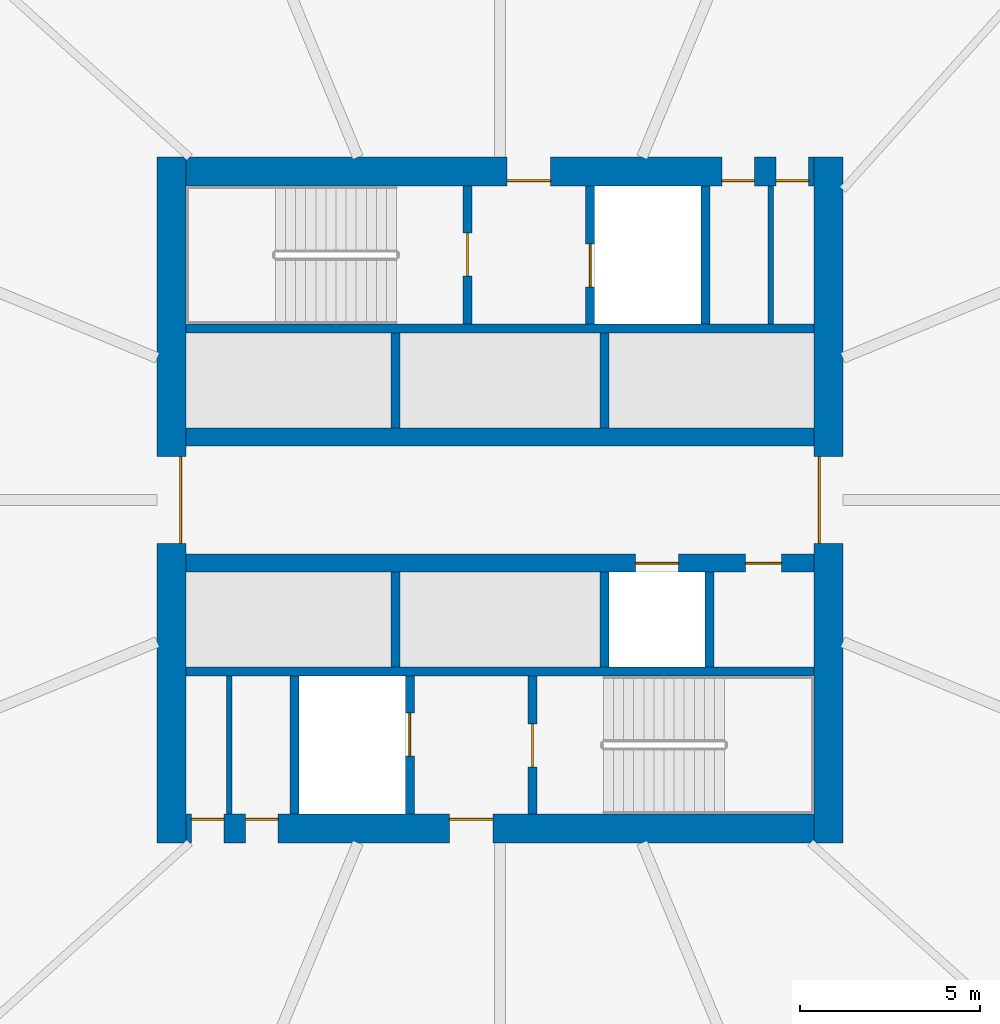
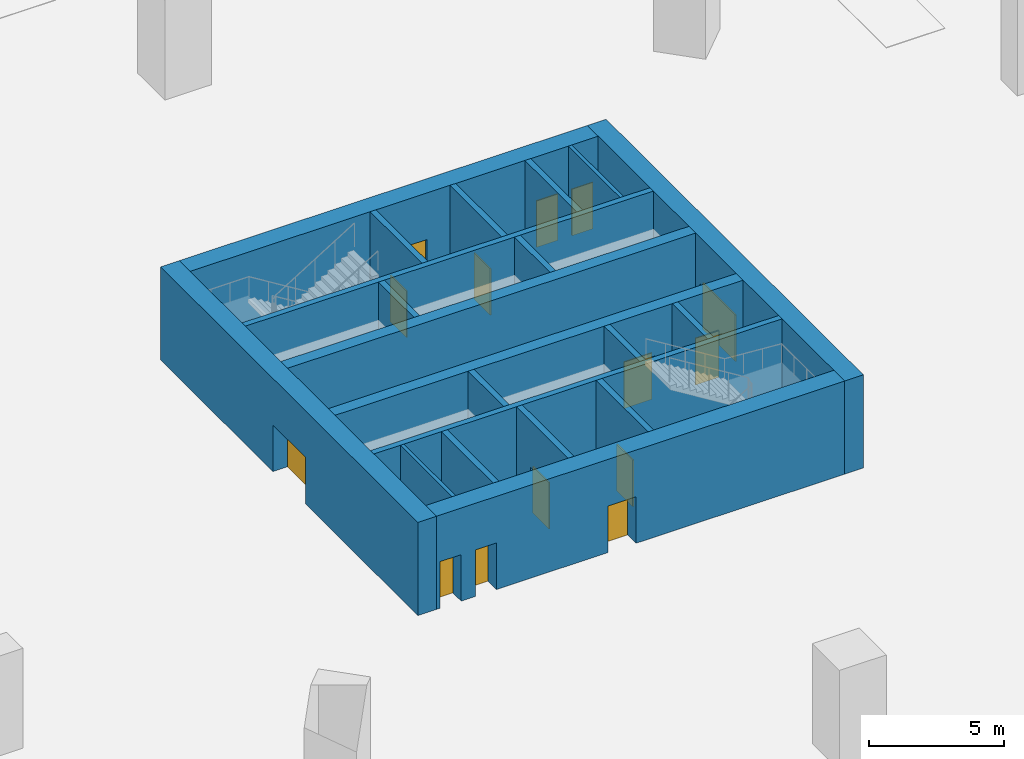
# One storey, part 11 of 34: 21 walls, 14 doors, 14 openings.
"""IFC4 building model written with IfcOpenShell, lengths in metres."""

from ifc_helpers import new_model, si_unit, direction, frame, frame_2d, origin, place, context, subcontext, project, spatial, rectangle, extrude, material, layer, layer_set, type_object, element, fill, save


model = new_model("IFC4")

# Units and contexts
model_context = context("Model", 3, precision=1e-05, world=origin(), true_north=direction((0.0, 1.0)))
body_context = subcontext(model_context, "Body", "Model", "MODEL_VIEW")
ifc_project = project(units=[si_unit("LENGTHUNIT", "METRE"), si_unit("AREAUNIT", "SQUARE_METRE"), si_unit("VOLUMEUNIT", "CUBIC_METRE"), si_unit("PLANEANGLEUNIT", "RADIAN"), si_unit("MASSUNIT", "GRAM", prefix="KILO")], contexts=[model_context])

# Site, building, storey
site_placement = place(None, origin())
site = spatial("IfcSite", under=ifc_project, at=site_placement, CompositionType="ELEMENT")
building_placement = place(site_placement, origin())
building = spatial("IfcBuilding", under=site, at=building_placement, Name="Ogive Gate Towers", CompositionType="ELEMENT")
storey_placement = place(building_placement, frame((0.0, 0.0, -4.5)))
storey = spatial("IfcBuildingStorey", under=building, at=storey_placement, Name="B1", CompositionType="ELEMENT", Elevation=-4.5)

# Wall, openings, doors
ifc_material_1 = material(Name="Concrete C60/75", Category="concrete")
ifc_layer_1 = layer(ifc_material_1, 0.800048828125)
ifc_layer_set_1 = layer_set([ifc_layer_1], Name="Core wall 800 mm")
wall_type_1 = type_object("IfcWallType", Name="Core wall 800 mm", PredefinedType="SHEAR", material=ifc_layer_set_1)
wall_1_placement = place(storey_placement, frame((-44.699951171875, -9.10009765625, 0.0), z_axis=(0.0, 0.0, 1.0), x_axis=(1.0, 0.0, 0.0)))
wall_1 = element("IfcWall", 1, at=wall_1_placement, inside=storey, type_object=wall_type_1, Name="T1 B1 Core wall 800 mm", PredefinedType="SHEAR", context=body_context, shape_type="SweptSolid", body=[
    extrude(rectangle(XDim=17.39990234375, YDim=0.800048828125, at=frame_2d((8.699951171875, 0.0))), origin(), (0.0, 0.0, 1.0), 4.199951171875),
])
opening_1_placement = place(wall_1_placement, frame((7.300048828125, 0.0, 0.0)))
opening_1 = element("IfcOpeningElement", 2, at=opening_1_placement, cuts=wall_1, Name="Opening KD-T1-B1-10", PredefinedType="OPENING", context=body_context, shape_type="SweptSolid", body=[
    extrude(rectangle(XDim=1.199951171875, YDim=2.10009765625, at=frame_2d((0.60009765625, 1.050048828125))), frame((0.0, 0.41015625, 0.0), z_axis=(0.0, -1.0, 0.0), x_axis=(1.0, 0.0, 0.0)), (0.0, 0.0, 1.0), 0.820068359375),
])
opening_2_placement = place(wall_1_placement, frame((0.14990234375, 0.0, 0.0)))
opening_2 = element("IfcOpeningElement", 3, at=opening_2_placement, cuts=wall_1, Name="Opening KD-T1-B1-13", PredefinedType="OPENING", context=body_context, shape_type="SweptSolid", body=[
    extrude(rectangle(XDim=0.89990234375, YDim=2.10009765625, at=frame_2d((0.449951171875, 1.050048828125))), frame((0.0, 0.41015625, 0.0), z_axis=(0.0, -1.0, 0.0), x_axis=(1.0, 0.0, 0.0)), (0.0, 0.0, 1.0), 0.820068359375),
])
opening_3_placement = place(wall_1_placement, frame((1.64990234375, 0.0, 0.0)))
opening_3 = element("IfcOpeningElement", 4, at=opening_3_placement, cuts=wall_1, Name="Opening KD-T1-B1-14", PredefinedType="OPENING", context=body_context, shape_type="SweptSolid", body=[
    extrude(rectangle(XDim=0.89990234375, YDim=2.10009765625, at=frame_2d((0.449951171875, 1.050048828125))), frame((0.0, 0.41015625, 0.0), z_axis=(0.0, -1.0, 0.0), x_axis=(1.0, 0.0, 0.0)), (0.0, 0.0, 1.0), 0.820068359375),
])
ifc_material_2 = material(Name="Steel fire door", Category="steel")
door_type_1 = type_object("IfcDoorType", Name="Core door FD60S 1200 x 2100", OperationType="NOTDEFINED", PredefinedType="DOOR", material=ifc_material_2)
door_1_placement = place(opening_1_placement, origin())
door_1 = element("IfcDoor", 5, at=door_1_placement, inside=storey, type_object=door_type_1, Name="T1 B1 Fire-fighting lobby door", OperationType="SINGLE_SWING_LEFT", OverallHeight=2.10009765625, OverallWidth=1.199951171875, PredefinedType="DOOR", context=body_context, shape_type="SweptSolid", body=[
    extrude(rectangle(XDim=1.199951171875, YDim=2.10009765625, at=frame_2d((0.60009765625, 1.050048828125))), frame((0.0, 0.27490234375, 0.0), z_axis=(0.0, -1.0, 0.0), x_axis=(1.0, 0.0, 0.0)), (0.0, 0.0, 1.0), 0.050048828125),
])
fill(opening_1, door_1)
door_type_2 = type_object("IfcDoorType", Name="Core door FD60S 900 x 2100", OperationType="NOTDEFINED", PredefinedType="DOOR", material=ifc_material_2)
door_2_placement = place(opening_2_placement, origin())
door_2 = element("IfcDoor", 6, at=door_2_placement, inside=storey, type_object=door_type_2, Name="T1 B1 Core door", OperationType="SINGLE_SWING_RIGHT", OverallHeight=2.10009765625, OverallWidth=0.89990234375, PredefinedType="DOOR", context=body_context, shape_type="SweptSolid", body=[
    extrude(rectangle(XDim=0.89990234375, YDim=2.10009765625, at=frame_2d((0.449951171875, 1.050048828125))), frame((0.0, 0.27490234375, 0.0), z_axis=(0.0, -1.0, 0.0), x_axis=(1.0, 0.0, 0.0)), (0.0, 0.0, 1.0), 0.050048828125),
])
fill(opening_2, door_2)
door_3_placement = place(opening_3_placement, origin())
door_3 = element("IfcDoor", 7, at=door_3_placement, inside=storey, type_object=door_type_2, Name="T1 B1 Core door", OperationType="SINGLE_SWING_LEFT", OverallHeight=2.10009765625, OverallWidth=0.89990234375, PredefinedType="DOOR", context=body_context, shape_type="SweptSolid", body=[
    extrude(rectangle(XDim=0.89990234375, YDim=2.10009765625, at=frame_2d((0.449951171875, 1.050048828125))), frame((0.0, 0.27490234375, 0.0), z_axis=(0.0, -1.0, 0.0), x_axis=(1.0, 0.0, 0.0)), (0.0, 0.0, 1.0), 0.050048828125),
])
fill(opening_3, door_3)

wall_2_placement = place(storey_placement, frame((-44.699951171875, 9.10009765625, 0.0), z_axis=(0.0, 0.0, 1.0), x_axis=(1.0, 0.0, 0.0)))
wall_2 = element("IfcWall", 8, at=wall_2_placement, inside=storey, type_object=wall_type_1, Name="T1 B1 Core wall 800 mm", PredefinedType="SHEAR", context=body_context, shape_type="SweptSolid", body=[
    extrude(rectangle(XDim=17.39990234375, YDim=0.800048828125, at=frame_2d((8.699951171875, 0.0))), origin(), (0.0, 0.0, 1.0), 4.199951171875),
])
opening_4_placement = place(wall_2_placement, frame((8.89990234375, 0.0, 0.0)))
opening_4 = element("IfcOpeningElement", 9, at=opening_4_placement, cuts=wall_2, Name="Opening KD-T1-B1-09", PredefinedType="OPENING", context=body_context, shape_type="SweptSolid", body=[
    extrude(rectangle(XDim=1.199951171875, YDim=2.10009765625, at=frame_2d((0.60009765625, 1.050048828125))), frame((0.0, 0.41015625, 0.0), z_axis=(0.0, -1.0, 0.0), x_axis=(1.0, 0.0, 0.0)), (0.0, 0.0, 1.0), 0.820068359375),
])
opening_5_placement = place(wall_2_placement, frame((14.85009765625, 0.0, 0.0)))
opening_5 = element("IfcOpeningElement", 10, at=opening_5_placement, cuts=wall_2, Name="Opening KD-T1-B1-11", PredefinedType="OPENING", context=body_context, shape_type="SweptSolid", body=[
    extrude(rectangle(XDim=0.89990234375, YDim=2.10009765625, at=frame_2d((0.449951171875, 1.050048828125))), frame((0.0, 0.41015625, 0.0), z_axis=(0.0, -1.0, 0.0), x_axis=(1.0, 0.0, 0.0)), (0.0, 0.0, 1.0), 0.820068359375),
])
opening_6_placement = place(wall_2_placement, frame((16.35009765625, 0.0, 0.0)))
opening_6 = element("IfcOpeningElement", 11, at=opening_6_placement, cuts=wall_2, Name="Opening KD-T1-B1-12", PredefinedType="OPENING", context=body_context, shape_type="SweptSolid", body=[
    extrude(rectangle(XDim=0.89990234375, YDim=2.10009765625, at=frame_2d((0.449951171875, 1.050048828125))), frame((0.0, 0.41015625, 0.0), z_axis=(0.0, -1.0, 0.0), x_axis=(1.0, 0.0, 0.0)), (0.0, 0.0, 1.0), 0.820068359375),
])
door_4_placement = place(opening_4_placement, origin())
door_4 = element("IfcDoor", 12, at=door_4_placement, inside=storey, type_object=door_type_1, Name="T1 B1 Fire-fighting lobby door", OperationType="SINGLE_SWING_RIGHT", OverallHeight=2.10009765625, OverallWidth=1.199951171875, PredefinedType="DOOR", context=body_context, shape_type="SweptSolid", body=[
    extrude(rectangle(XDim=1.199951171875, YDim=2.10009765625, at=frame_2d((0.60009765625, 1.050048828125))), frame((0.0, -0.22509765625, 0.0), z_axis=(0.0, -1.0, 0.0), x_axis=(1.0, 0.0, 0.0)), (0.0, 0.0, 1.0), 0.050048828125),
])
fill(opening_4, door_4)
door_5_placement = place(opening_5_placement, origin())
door_5 = element("IfcDoor", 13, at=door_5_placement, inside=storey, type_object=door_type_2, Name="T1 B1 Core door", OperationType="SINGLE_SWING_RIGHT", OverallHeight=2.10009765625, OverallWidth=0.89990234375, PredefinedType="DOOR", context=body_context, shape_type="SweptSolid", body=[
    extrude(rectangle(XDim=0.89990234375, YDim=2.10009765625, at=frame_2d((0.449951171875, 1.050048828125))), frame((0.0, -0.22509765625, 0.0), z_axis=(0.0, -1.0, 0.0), x_axis=(1.0, 0.0, 0.0)), (0.0, 0.0, 1.0), 0.050048828125),
])
fill(opening_5, door_5)
door_6_placement = place(opening_6_placement, origin())
door_6 = element("IfcDoor", 14, at=door_6_placement, inside=storey, type_object=door_type_2, Name="T1 B1 Core door", OperationType="SINGLE_SWING_LEFT", OverallHeight=2.10009765625, OverallWidth=0.89990234375, PredefinedType="DOOR", context=body_context, shape_type="SweptSolid", body=[
    extrude(rectangle(XDim=0.89990234375, YDim=2.10009765625, at=frame_2d((0.449951171875, 1.050048828125))), frame((0.0, -0.22509765625, 0.0), z_axis=(0.0, -1.0, 0.0), x_axis=(1.0, 0.0, 0.0)), (0.0, 0.0, 1.0), 0.050048828125),
])
fill(opening_6, door_6)

# Wall, opening, door
wall_3_placement = place(storey_placement, frame((-45.10009765625, -9.5, 0.0), z_axis=(0.0, 0.0, 1.0), x_axis=(0.0, 1.0, 0.0)))
wall_3 = element("IfcWall", 15, at=wall_3_placement, inside=storey, type_object=wall_type_1, Name="T1 B1 Core wall 800 mm", PredefinedType="SHEAR", context=body_context, shape_type="SweptSolid", body=[
    extrude(rectangle(XDim=19.0, YDim=0.800048828125, at=frame_2d((9.5, 0.0))), origin(), (0.0, 0.0, 1.0), 4.199951171875),
])
opening_7_placement = place(wall_3_placement, frame((8.300048828125, 0.0, 0.0)))
opening_7 = element("IfcOpeningElement", 16, at=opening_7_placement, cuts=wall_3, Name="Opening KD-T1-B1-01", PredefinedType="OPENING", context=body_context, shape_type="SweptSolid", body=[
    extrude(rectangle(XDim=2.39990234375, YDim=2.10009765625, at=frame_2d((1.199951171875, 1.050048828125))), frame((0.0, 0.41015625, 0.0), z_axis=(0.0, -1.0, 0.0), x_axis=(1.0, 0.0, 0.0)), (0.0, 0.0, 1.0), 0.820068359375),
])
door_type_3 = type_object("IfcDoorType", Name="Core double door FD60S 2400 x 2100", OperationType="DOUBLE_DOOR_SINGLE_SWING", PredefinedType="DOOR", material=ifc_material_2)
door_7_placement = place(opening_7_placement, origin())
door_7 = element("IfcDoor", 17, at=door_7_placement, inside=storey, type_object=door_type_3, Name="T1 B1 Core door double", OperationType="DOUBLE_DOOR_SINGLE_SWING", OverallHeight=2.10009765625, OverallWidth=2.39990234375, PredefinedType="DOOR", context=body_context, shape_type="SweptSolid", body=[
    extrude(rectangle(XDim=2.39990234375, YDim=2.10009765625, at=frame_2d((1.199951171875, 1.050048828125))), frame((0.0, -0.22509765625, 0.0), z_axis=(0.0, -1.0, 0.0), x_axis=(1.0, 0.0, 0.0)), (0.0, 0.0, 1.0), 0.050048828125),
])
fill(opening_7, door_7)

wall_4_placement = place(storey_placement, frame((-26.89990234375, -9.5, 0.0), z_axis=(0.0, 0.0, 1.0), x_axis=(0.0, 1.0, 0.0)))
wall_4 = element("IfcWall", 18, at=wall_4_placement, inside=storey, type_object=wall_type_1, Name="T1 B1 Core wall 800 mm", PredefinedType="SHEAR", context=body_context, shape_type="SweptSolid", body=[
    extrude(rectangle(XDim=19.0, YDim=0.800048828125, at=frame_2d((9.5, 0.0))), origin(), (0.0, 0.0, 1.0), 4.199951171875),
])
opening_8_placement = place(wall_4_placement, frame((8.300048828125, 0.0, 0.0)))
opening_8 = element("IfcOpeningElement", 19, at=opening_8_placement, cuts=wall_4, Name="Opening KD-T1-B1-02", PredefinedType="OPENING", context=body_context, shape_type="SweptSolid", body=[
    extrude(rectangle(XDim=2.39990234375, YDim=2.10009765625, at=frame_2d((1.199951171875, 1.050048828125))), frame((0.0, 0.41015625, 0.0), z_axis=(0.0, -1.0, 0.0), x_axis=(1.0, 0.0, 0.0)), (0.0, 0.0, 1.0), 0.820068359375),
])
door_8_placement = place(opening_8_placement, origin())
door_8 = element("IfcDoor", 20, at=door_8_placement, inside=storey, type_object=door_type_3, Name="T1 B1 Core door double", OperationType="DOUBLE_DOOR_SINGLE_SWING", OverallHeight=2.10009765625, OverallWidth=2.39990234375, PredefinedType="DOOR", context=body_context, shape_type="SweptSolid", body=[
    extrude(rectangle(XDim=2.39990234375, YDim=2.10009765625, at=frame_2d((1.199951171875, 1.050048828125))), frame((0.0, 0.27490234375, 0.0), z_axis=(0.0, -1.0, 0.0), x_axis=(1.0, 0.0, 0.0)), (0.0, 0.0, 1.0), 0.050048828125),
])
fill(opening_8, door_8)

# Walls
ifc_material_3 = material(Name="Gypsum board partition")
ifc_layer_2 = layer(ifc_material_3, 0.14990234375)
ifc_layer_set_2 = layer_set([ifc_layer_2], Name="Room partition 150 mm")
wall_type_2 = type_object("IfcWallType", Name="Room partition 150 mm", PredefinedType="PARTITIONING", material=ifc_layer_set_2)
for number, where, z_axis, x_axis, name in (
    (21, (-43.5, -8.699951171875, 0.0), (0.0, 0.0, 1.0), (0.0, 1.0, 0.0), "T1 B1 Room partition 150 mm"),
    (22, (-28.5, 4.875, 0.0), (0.0, 0.0, 1.0), (0.0, 1.0, 0.0), "T1 B1 Room partition 150 mm"),
):
    element("IfcWall", number, at=place(storey_placement, frame(where, z_axis=z_axis, x_axis=x_axis)), inside=storey, type_object=wall_type_2, Name=name, PredefinedType="PARTITIONING", context=body_context, shape_type="SweptSolid", body=[
        extrude(rectangle(XDim=3.824951171875, YDim=0.14990234375, at=frame_2d((1.91259765625, 0.0))), origin(), (0.0, 0.0, 1.0), 4.199951171875),
    ])
ifc_layer_3 = layer(ifc_material_1, 0.25)
ifc_layer_set_3 = layer_set([ifc_layer_3], Name="Shaft wall 250 mm")
wall_type_3 = type_object("IfcWallType", Name="Shaft wall 250 mm", PredefinedType="SHEAR", material=ifc_layer_set_3)
for number, where, z_axis, x_axis, name in (
    (23, (-44.699951171875, -4.75, 0.0), (0.0, 0.0, 1.0), (1.0, 0.0, 0.0), "T1 B1 Shaft wall 250 mm"),
    (24, (-44.699951171875, 4.75, 0.0), (0.0, 0.0, 1.0), (1.0, 0.0, 0.0), "T1 B1 Shaft wall 250 mm"),
):
    element("IfcWall", number, at=place(storey_placement, frame(where, z_axis=z_axis, x_axis=x_axis)), inside=storey, type_object=wall_type_3, Name=name, PredefinedType="SHEAR", context=body_context, shape_type="SweptSolid", body=[
        extrude(rectangle(XDim=17.39990234375, YDim=0.25, at=frame_2d((8.699951171875, 0.0))), origin(), (0.0, 0.0, 1.0), 4.199951171875),
    ])
wall_5_placement = place(storey_placement, frame((-41.699951171875, -8.699951171875, 0.0), z_axis=(0.0, 0.0, 1.0), x_axis=(0.0, 1.0, 0.0)))
element("IfcWall", 25, at=wall_5_placement, inside=storey, type_object=wall_type_3, Name="T1 B1 Shaft wall 250 mm", PredefinedType="SHEAR", context=body_context, shape_type="SweptSolid", body=[
    extrude(rectangle(XDim=3.824951171875, YDim=0.25, at=frame_2d((1.91259765625, 0.0))), origin(), (0.0, 0.0, 1.0), 4.199951171875),
])
for number, where, z_axis, x_axis, name in (
    (26, (-38.89990234375, -4.625, 0.0), (0.0, 0.0, 1.0), (0.0, 1.0, 0.0), "T1 B1 Shaft wall 250 mm"),
    (27, (-38.89990234375, 2.0, 0.0), (0.0, 0.0, 1.0), (0.0, 1.0, 0.0), "T1 B1 Shaft wall 250 mm"),
):
    element("IfcWall", number, at=place(storey_placement, frame(where, z_axis=z_axis, x_axis=x_axis)), inside=storey, type_object=wall_type_3, Name=name, PredefinedType="SHEAR", context=body_context, shape_type="SweptSolid", body=[
        extrude(rectangle(XDim=2.625, YDim=0.25, at=frame_2d((1.3125, 0.0))), origin(), (0.0, 0.0, 1.0), 4.199951171875),
    ])

# Wall, opening, door
wall_6_placement = place(storey_placement, frame((-38.5, -8.699951171875, 0.0), z_axis=(0.0, 0.0, 1.0), x_axis=(0.0, 1.0, 0.0)))
wall_6 = element("IfcWall", 28, at=wall_6_placement, inside=storey, type_object=wall_type_3, Name="T1 B1 Shaft wall 250 mm", PredefinedType="SHEAR", context=body_context, shape_type="SweptSolid", body=[
    extrude(rectangle(XDim=3.824951171875, YDim=0.25, at=frame_2d((1.91259765625, 0.0))), origin(), (0.0, 0.0, 1.0), 4.199951171875),
])
opening_9_placement = place(wall_6_placement, frame((1.60009765625, 0.0, 0.0)))
opening_9 = element("IfcOpeningElement", 29, at=opening_9_placement, cuts=wall_6, Name="Opening LD-T1-B1-05", PredefinedType="OPENING", context=body_context, shape_type="SweptSolid", body=[
    extrude(rectangle(XDim=1.199951171875, YDim=2.10009765625, at=frame_2d((0.60009765625, 1.050048828125))), frame((0.0, 0.135009765625, 0.0), z_axis=(0.0, -1.0, 0.0), x_axis=(1.0, 0.0, 0.0)), (0.0, 0.0, 1.0), 0.27001953125),
])
ifc_material_4 = material(Name="Stainless steel landing door", Category="steel")
door_type_4 = type_object("IfcDoorType", Name="Landing door 1200 x 2100", OperationType="SLIDING_TO_LEFT", PredefinedType="DOOR", material=ifc_material_4)
door_9_placement = place(opening_9_placement, origin())
door_9 = element("IfcDoor", 30, at=door_9_placement, inside=storey, type_object=door_type_4, Name="T1 B1 Lift landing door FF2", OperationType="SLIDING_TO_LEFT", OverallHeight=2.10009765625, OverallWidth=1.199951171875, PredefinedType="DOOR", context=body_context, shape_type="SweptSolid", body=[
    extrude(rectangle(XDim=1.199951171875, YDim=2.10009765625, at=frame_2d((0.60009765625, 1.050048828125))), frame((0.0, 0.02490234375, 0.0), z_axis=(0.0, -1.0, 0.0), x_axis=(1.0, 0.0, 0.0)), (0.0, 0.0, 1.0), 0.050048828125),
])
fill(opening_9, door_9)

wall_7_placement = place(storey_placement, frame((-36.89990234375, 4.875, 0.0), z_axis=(0.0, 0.0, 1.0), x_axis=(0.0, 1.0, 0.0)))
wall_7 = element("IfcWall", 31, at=wall_7_placement, inside=storey, type_object=wall_type_3, Name="T1 B1 Shaft wall 250 mm", PredefinedType="SHEAR", context=body_context, shape_type="SweptSolid", body=[
    extrude(rectangle(XDim=3.824951171875, YDim=0.25, at=frame_2d((1.91259765625, 0.0))), origin(), (0.0, 0.0, 1.0), 4.199951171875),
])
opening_10_placement = place(wall_7_placement, frame((1.324951171875, 0.0, 0.0)))
opening_10 = element("IfcOpeningElement", 32, at=opening_10_placement, cuts=wall_7, Name="Opening KD-T1-B1-07", PredefinedType="OPENING", context=body_context, shape_type="SweptSolid", body=[
    extrude(rectangle(XDim=1.199951171875, YDim=2.10009765625, at=frame_2d((0.60009765625, 1.050048828125))), frame((0.0, 0.135009765625, 0.0), z_axis=(0.0, -1.0, 0.0), x_axis=(1.0, 0.0, 0.0)), (0.0, 0.0, 1.0), 0.27001953125),
])
door_10_placement = place(opening_10_placement, origin())
door_10 = element("IfcDoor", 33, at=door_10_placement, inside=storey, type_object=door_type_1, Name="T1 B1 Stair door", OperationType="SINGLE_SWING_RIGHT", OverallHeight=2.10009765625, OverallWidth=1.199951171875, PredefinedType="DOOR", context=body_context, shape_type="SweptSolid", body=[
    extrude(rectangle(XDim=1.199951171875, YDim=2.10009765625, at=frame_2d((0.60009765625, 1.050048828125))), frame((0.0, 0.02490234375, 0.0), z_axis=(0.0, -1.0, 0.0), x_axis=(1.0, 0.0, 0.0)), (0.0, 0.0, 1.0), 0.050048828125),
])
fill(opening_10, door_10)

wall_8_placement = place(storey_placement, frame((-35.10009765625, -8.699951171875, 0.0), z_axis=(0.0, 0.0, 1.0), x_axis=(0.0, 1.0, 0.0)))
wall_8 = element("IfcWall", 34, at=wall_8_placement, inside=storey, type_object=wall_type_3, Name="T1 B1 Shaft wall 250 mm", PredefinedType="SHEAR", context=body_context, shape_type="SweptSolid", body=[
    extrude(rectangle(XDim=3.824951171875, YDim=0.25, at=frame_2d((1.91259765625, 0.0))), origin(), (0.0, 0.0, 1.0), 4.199951171875),
])
opening_11_placement = place(wall_8_placement, frame((1.300048828125, 0.0, 0.0)))
opening_11 = element("IfcOpeningElement", 35, at=opening_11_placement, cuts=wall_8, Name="Opening KD-T1-B1-08", PredefinedType="OPENING", context=body_context, shape_type="SweptSolid", body=[
    extrude(rectangle(XDim=1.199951171875, YDim=2.10009765625, at=frame_2d((0.60009765625, 1.050048828125))), frame((0.0, 0.135009765625, 0.0), z_axis=(0.0, -1.0, 0.0), x_axis=(1.0, 0.0, 0.0)), (0.0, 0.0, 1.0), 0.27001953125),
])
door_11_placement = place(opening_11_placement, origin())
door_11 = element("IfcDoor", 36, at=door_11_placement, inside=storey, type_object=door_type_1, Name="T1 B1 Stair door", OperationType="SINGLE_SWING_LEFT", OverallHeight=2.10009765625, OverallWidth=1.199951171875, PredefinedType="DOOR", context=body_context, shape_type="SweptSolid", body=[
    extrude(rectangle(XDim=1.199951171875, YDim=2.10009765625, at=frame_2d((0.60009765625, 1.050048828125))), frame((0.0, 0.02490234375, 0.0), z_axis=(0.0, -1.0, 0.0), x_axis=(1.0, 0.0, 0.0)), (0.0, 0.0, 1.0), 0.050048828125),
])
fill(opening_11, door_11)

wall_9_placement = place(storey_placement, frame((-33.5, 4.875, 0.0), z_axis=(0.0, 0.0, 1.0), x_axis=(0.0, 1.0, 0.0)))
wall_9 = element("IfcWall", 37, at=wall_9_placement, inside=storey, type_object=wall_type_3, Name="T1 B1 Shaft wall 250 mm", PredefinedType="SHEAR", context=body_context, shape_type="SweptSolid", body=[
    extrude(rectangle(XDim=3.824951171875, YDim=0.25, at=frame_2d((1.91259765625, 0.0))), origin(), (0.0, 0.0, 1.0), 4.199951171875),
])
opening_12_placement = place(wall_9_placement, frame((1.02490234375, 0.0, 0.0)))
opening_12 = element("IfcOpeningElement", 38, at=opening_12_placement, cuts=wall_9, Name="Opening LD-T1-B1-04", PredefinedType="OPENING", context=body_context, shape_type="SweptSolid", body=[
    extrude(rectangle(XDim=1.199951171875, YDim=2.10009765625, at=frame_2d((0.60009765625, 1.050048828125))), frame((0.0, 0.135009765625, 0.0), z_axis=(0.0, -1.0, 0.0), x_axis=(1.0, 0.0, 0.0)), (0.0, 0.0, 1.0), 0.27001953125),
])
door_12_placement = place(opening_12_placement, origin())
door_12 = element("IfcDoor", 39, at=door_12_placement, inside=storey, type_object=door_type_4, Name="T1 B1 Lift landing door FF1", OperationType="SLIDING_TO_LEFT", OverallHeight=2.10009765625, OverallWidth=1.199951171875, PredefinedType="DOOR", context=body_context, shape_type="SweptSolid", body=[
    extrude(rectangle(XDim=1.199951171875, YDim=2.10009765625, at=frame_2d((0.60009765625, 1.050048828125))), frame((0.0, 0.02490234375, 0.0), z_axis=(0.0, -1.0, 0.0), x_axis=(1.0, 0.0, 0.0)), (0.0, 0.0, 1.0), 0.050048828125),
])
fill(opening_12, door_12)

# Walls
for number, where, z_axis, x_axis, name in (
    (40, (-33.10009765625, -4.625, 0.0), (0.0, 0.0, 1.0), (0.0, 1.0, 0.0), "T1 B1 Shaft wall 250 mm"),
    (41, (-33.10009765625, 2.0, 0.0), (0.0, 0.0, 1.0), (0.0, 1.0, 0.0), "T1 B1 Shaft wall 250 mm"),
):
    element("IfcWall", number, at=place(storey_placement, frame(where, z_axis=z_axis, x_axis=x_axis)), inside=storey, type_object=wall_type_3, Name=name, PredefinedType="SHEAR", context=body_context, shape_type="SweptSolid", body=[
        extrude(rectangle(XDim=2.625, YDim=0.25, at=frame_2d((1.3125, 0.0))), origin(), (0.0, 0.0, 1.0), 4.199951171875),
    ])
wall_10_placement = place(storey_placement, frame((-30.300048828125, 4.875, 0.0), z_axis=(0.0, 0.0, 1.0), x_axis=(0.0, 1.0, 0.0)))
element("IfcWall", 42, at=wall_10_placement, inside=storey, type_object=wall_type_3, Name="T1 B1 Shaft wall 250 mm", PredefinedType="SHEAR", context=body_context, shape_type="SweptSolid", body=[
    extrude(rectangle(XDim=3.824951171875, YDim=0.25, at=frame_2d((1.91259765625, 0.0))), origin(), (0.0, 0.0, 1.0), 4.199951171875),
])
wall_11_placement = place(storey_placement, frame((-30.199951171875, -4.625, 0.0), z_axis=(0.0, 0.0, 1.0), x_axis=(0.0, 1.0, 0.0)))
element("IfcWall", 43, at=wall_11_placement, inside=storey, type_object=wall_type_3, Name="T1 B1 Shaft wall 250 mm", PredefinedType="SHEAR", context=body_context, shape_type="SweptSolid", body=[
    extrude(rectangle(XDim=2.625, YDim=0.25, at=frame_2d((1.3125, 0.0))), origin(), (0.0, 0.0, 1.0), 4.199951171875),
])

# Wall, openings, doors
ifc_layer_4 = layer(ifc_material_1, 0.5)
ifc_layer_set_4 = layer_set([ifc_layer_4], Name="Spine wall 500 mm")
wall_type_4 = type_object("IfcWallType", Name="Spine wall 500 mm", PredefinedType="SHEAR", material=ifc_layer_set_4)
wall_12_placement = place(storey_placement, frame((-44.699951171875, -1.75, 0.0), z_axis=(0.0, 0.0, 1.0), x_axis=(1.0, 0.0, 0.0)))
wall_12 = element("IfcWall", 44, at=wall_12_placement, inside=storey, type_object=wall_type_4, Name="T1 B1 Spine wall 500 mm", PredefinedType="SHEAR", context=body_context, shape_type="SweptSolid", body=[
    extrude(rectangle(XDim=17.39990234375, YDim=0.5, at=frame_2d((8.699951171875, 0.0))), origin(), (0.0, 0.0, 1.0), 4.199951171875),
])
opening_13_placement = place(wall_12_placement, frame((12.449951171875, 0.0, 0.0)))
opening_13 = element("IfcOpeningElement", 45, at=opening_13_placement, cuts=wall_12, Name="Opening LD-T1-B1-03", PredefinedType="OPENING", context=body_context, shape_type="SweptSolid", body=[
    extrude(rectangle(XDim=1.199951171875, YDim=2.10009765625, at=frame_2d((0.60009765625, 1.050048828125))), frame((0.0, 0.260009765625, 0.0), z_axis=(0.0, -1.0, 0.0), x_axis=(1.0, 0.0, 0.0)), (0.0, 0.0, 1.0), 0.52001953125),
])
opening_14_placement = place(wall_12_placement, frame((15.5, 0.0, 0.0)))
opening_14 = element("IfcOpeningElement", 46, at=opening_14_placement, cuts=wall_12, Name="Opening KD-T1-B1-06", PredefinedType="OPENING", context=body_context, shape_type="SweptSolid", body=[
    extrude(rectangle(XDim=1.0, YDim=2.10009765625, at=frame_2d((0.5, 1.050048828125))), frame((0.0, 0.260009765625, 0.0), z_axis=(0.0, -1.0, 0.0), x_axis=(1.0, 0.0, 0.0)), (0.0, 0.0, 1.0), 0.52001953125),
])
door_type_5 = type_object("IfcDoorType", Name="Core door FD60S 1000 x 2100", OperationType="NOTDEFINED", PredefinedType="DOOR", material=ifc_material_2)
door_13_placement = place(opening_14_placement, origin())
door_13 = element("IfcDoor", 47, at=door_13_placement, inside=storey, type_object=door_type_5, Name="T1 B1 Core door", OperationType="SINGLE_SWING_LEFT", OverallHeight=2.10009765625, OverallWidth=1.0, PredefinedType="DOOR", context=body_context, shape_type="SweptSolid", body=[
    extrude(rectangle(XDim=1.0, YDim=2.10009765625, at=frame_2d((0.5, 1.050048828125))), frame((0.0, 0.02490234375, 0.0), z_axis=(0.0, -1.0, 0.0), x_axis=(1.0, 0.0, 0.0)), (0.0, 0.0, 1.0), 0.050048828125),
])
fill(opening_14, door_13)
door_14_placement = place(opening_13_placement, origin())
door_14 = element("IfcDoor", 48, at=door_14_placement, inside=storey, type_object=door_type_4, Name="T1 B1 Lift landing door SVC", OperationType="SLIDING_TO_LEFT", OverallHeight=2.10009765625, OverallWidth=1.199951171875, PredefinedType="DOOR", context=body_context, shape_type="SweptSolid", body=[
    extrude(rectangle(XDim=1.199951171875, YDim=2.10009765625, at=frame_2d((0.60009765625, 1.050048828125))), frame((0.0, 0.02490234375, 0.0), z_axis=(0.0, -1.0, 0.0), x_axis=(1.0, 0.0, 0.0)), (0.0, 0.0, 1.0), 0.050048828125),
])
fill(opening_13, door_14)

# Wall
wall_13_placement = place(storey_placement, frame((-44.699951171875, 1.75, 0.0), z_axis=(0.0, 0.0, 1.0), x_axis=(1.0, 0.0, 0.0)))
element("IfcWall", 49, at=wall_13_placement, inside=storey, type_object=wall_type_4, Name="T1 B1 Spine wall 500 mm", PredefinedType="SHEAR", context=body_context, shape_type="SweptSolid", body=[
    extrude(rectangle(XDim=17.39990234375, YDim=0.5, at=frame_2d((8.699951171875, 0.0))), origin(), (0.0, 0.0, 1.0), 4.199951171875),
])

save(model, "model.ifc")
